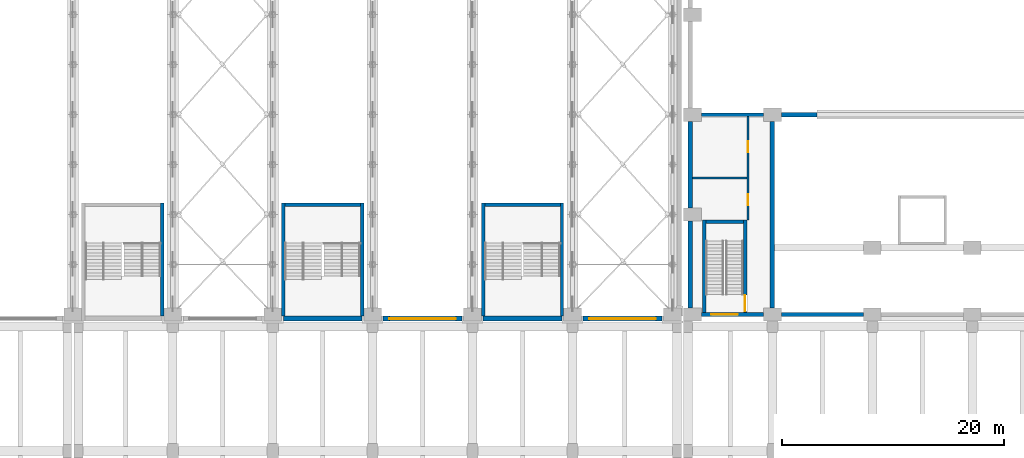
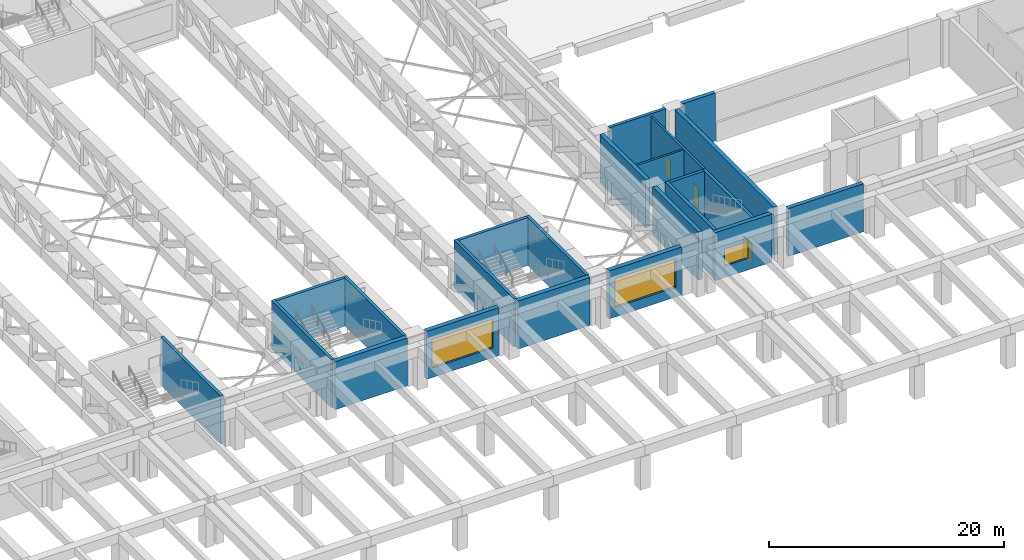
# One storey, part 33 of 76: 23 walls, 3 doors, 3 windows, 6 openings.
"""IFC4 building model written with IfcOpenShell, lengths in metres."""

from ifc_helpers import new_model, si_unit, direction, frame, frame_2d, origin, place, context, subcontext, project, spatial, rectangle, extrude, material, layer, layer_set, type_object, element, fill, save


model = new_model("IFC4")

# Units and contexts
model_context = context("Model", 3, precision=1e-05, world=origin(), true_north=direction((0.0, 1.0)))
body_context = subcontext(model_context, "Body", "Model", "MODEL_VIEW")
ifc_project = project(units=[si_unit("LENGTHUNIT", "METRE"), si_unit("AREAUNIT", "SQUARE_METRE"), si_unit("VOLUMEUNIT", "CUBIC_METRE"), si_unit("PLANEANGLEUNIT", "RADIAN"), si_unit("MASSUNIT", "GRAM", prefix="KILO")], contexts=[model_context])

# Site, building, storey
site_placement = place(None, origin())
site = spatial("IfcSite", under=ifc_project, at=site_placement, CompositionType="ELEMENT")
building_placement = place(site_placement, origin())
building = spatial("IfcBuilding", under=site, at=building_placement, Name="Aravalli Gate Trade Fair Centre", CompositionType="ELEMENT")
storey_placement = place(building_placement, frame((0.0, 0.0, 10.0)))
storey = spatial("IfcBuildingStorey", under=building, at=storey_placement, Name="L02", CompositionType="ELEMENT", Elevation=10.0)

# Walls
ifc_material_1 = material(Name="Concrete M40", Category="concrete")
ifc_layer_1 = layer(ifc_material_1, 0.300048828125)
ifc_layer_set_1 = layer_set([ifc_layer_1], Name="Concrete M40")
wall_type_1 = type_object("IfcWallType", Name="Congress RC wall 300", PredefinedType="SHEAR", material=ifc_layer_set_1)
wall_1_placement = place(storey_placement, frame((107.60009765625, 64.0, 0.0), z_axis=(0.0, 0.0, 1.0), x_axis=(1.0, 0.0, 0.0)))
element("IfcWall", 1, at=wall_1_placement, inside=storey, type_object=wall_type_1, Name="Stage wing north wall W L02", PredefinedType="SHEAR", context=body_context, shape_type="SweptSolid", body=[
    extrude(rectangle(XDim=5.599853515625, YDim=0.300048828125, at=frame_2d((2.7998046875, 0.0))), origin(), (0.0, 0.0, 1.0), 5.0),
])
wall_2_placement = place(storey_placement, frame((107.85009765625, 46.199951171875, 0.0), z_axis=(0.0, 0.0, 1.0), x_axis=(0.0, 1.0, 0.0)))
element("IfcWall", 2, at=wall_2_placement, inside=storey, type_object=wall_type_1, Name="Stage Stair West wall W L02", PredefinedType="SHEAR", context=body_context, shape_type="SweptSolid", body=[
    extrude(rectangle(XDim=8.300048828125, YDim=0.300048828125, at=frame_2d((4.14990234375, 0.0))), origin(), (0.0, 0.0, 1.0), 5.0),
])

# Wall, opening, door
wall_3_placement = place(storey_placement, frame((111.550048828125, 46.199951171875, 0.0), z_axis=(0.0, 0.0, 1.0), x_axis=(0.0, 1.0, 0.0)))
wall_3 = element("IfcWall", 3, at=wall_3_placement, inside=storey, type_object=wall_type_1, Name="Stage Stair West wall E L02", PredefinedType="SHEAR", context=body_context, shape_type="SweptSolid", body=[
    extrude(rectangle(XDim=8.300048828125, YDim=0.300048828125, at=frame_2d((4.14990234375, 0.0))), origin(), (0.0, 0.0, 1.0), 5.0),
])
opening_1_placement = place(wall_3_placement, frame((0.0849609375, 0.0, 0.0)))
opening_1 = element("IfcOpeningElement", 4, at=opening_1_placement, cuts=wall_3, Name="Opening G-L02-05", PredefinedType="OPENING", context=body_context, shape_type="SweptSolid", body=[
    extrude(rectangle(XDim=1.449951171875, YDim=2.10009765625, at=frame_2d((0.72509765625, 1.050048828125))), frame((0.0, 0.159912109375, 0.0), z_axis=(0.0, -1.0, 0.0), x_axis=(1.0, 0.0, 0.0)), (0.0, 0.0, 1.0), 0.320068359375),
])
ifc_material_2 = material(Name="Steel, fire rated", Category="steel")
door_type_1 = type_object("IfcDoorType", Name="Congress fire door FD120 1450 x 2100", OperationType="SINGLE_SWING_LEFT", PredefinedType="DOOR", material=ifc_material_2)
door_1_placement = place(opening_1_placement, origin())
door_1 = element("IfcDoor", 5, at=door_1_placement, inside=storey, type_object=door_type_1, Name="Stage Stair West door L02", OperationType="SINGLE_SWING_LEFT", OverallHeight=2.10009765625, OverallWidth=1.449951171875, PredefinedType="DOOR", context=body_context, shape_type="SweptSolid", body=[
    extrude(rectangle(XDim=1.449951171875, YDim=2.10009765625, at=frame_2d((0.72509765625, 1.050048828125))), frame((0.0, 0.02490234375, 0.0), z_axis=(0.0, -1.0, 0.0), x_axis=(1.0, 0.0, 0.0)), (0.0, 0.0, 1.0), 0.050048828125),
])
fill(opening_1, door_1)

# Walls
wall_4_placement = place(storey_placement, frame((108.0, 54.35009765625, 0.0), z_axis=(0.0, 0.0, 1.0), x_axis=(1.0, 0.0, 0.0)))
element("IfcWall", 6, at=wall_4_placement, inside=storey, type_object=wall_type_1, Name="Stage Stair West wall N L02", PredefinedType="SHEAR", context=body_context, shape_type="SweptSolid", body=[
    extrude(rectangle(XDim=3.39990234375, YDim=0.300048828125, at=frame_2d((1.699951171875, 0.0))), origin(), (0.0, 0.0, 1.0), 5.0),
])
ifc_layer_2 = layer(ifc_material_1, 0.39990234375)
ifc_layer_set_2 = layer_set([ifc_layer_2], Name="Concrete M40")
wall_type_2 = type_object("IfcWallType", Name="Congress RC wall 400", PredefinedType="SHEAR", material=ifc_layer_set_2)
wall_5_placement = place(storey_placement, frame((114.0, 46.60009765625, 0.0), z_axis=(0.0, 0.0, 1.0), x_axis=(0.0, 1.0, 0.0)))
element("IfcWall", 7, at=wall_5_placement, inside=storey, type_object=wall_type_2, Name="Stage house wall line 114 L02", PredefinedType="SHEAR", context=body_context, shape_type="SweptSolid", body=[
    extrude(rectangle(XDim=16.7998046875, YDim=0.39990234375, at=frame_2d((8.39990234375, 0.0))), origin(), (0.0, 0.0, 1.0), 5.0),
])
wall_6_placement = place(storey_placement, frame((114.800048828125, 64.0, 0.0), z_axis=(0.0, 0.0, 1.0), x_axis=(1.0, 0.0, 0.0)))
element("IfcWall", 8, at=wall_6_placement, inside=storey, type_object=wall_type_2, Name="Proscenium wall W L02", PredefinedType="SHEAR", context=body_context, shape_type="SweptSolid", body=[
    extrude(rectangle(XDim=3.199951171875, YDim=0.39990234375, at=frame_2d((1.60009765625, 0.0))), origin(), (0.0, 0.0, 1.0), 5.0),
])
ifc_layer_3 = layer(ifc_material_1, 0.25, Name="Structural wall")
ifc_material_3 = material(Name="Ventilated air cavity")
ifc_layer_4 = layer(ifc_material_3, 0.050048828125, ventilated=True, Name="Ventilated cavity")
ifc_material_4 = material(Name="Terracotta rainscreen", Category="masonry")
ifc_layer_5 = layer(ifc_material_4, 0.10009765625, Name="Rainscreen cladding")
ifc_layer_set_3 = layer_set([ifc_layer_3, ifc_layer_4, ifc_layer_5], Name="Congress external wall 400")
wall_type_3 = type_object("IfcWallType", Name="Congress external wall 400", PredefinedType="SOLIDWALL", material=ifc_layer_set_3)
for number, where, z_axis, x_axis, name in (
    (9, (106.60009765625, 46.60009765625, 0.0), (0.0, 0.0, 1.0), (0.0, 1.0, 0.0), "West wall L02 bay 1"),
    (10, (106.60009765625, 55.60009765625, 0.0), (0.0, 0.0, 1.0), (0.0, 1.0, 0.0), "West wall L02 bay 2"),
):
    element("IfcWall", number, at=place(storey_placement, frame(where, z_axis=z_axis, x_axis=x_axis)), inside=storey, type_object=wall_type_3, Name=name, PredefinedType="SOLIDWALL", context=body_context, shape_type="SweptSolid", body=[
        extrude(rectangle(XDim=7.7998046875, YDim=0.39990234375, at=frame_2d((3.89990234375, 0.0))), origin(), (0.0, 0.0, 1.0), 5.0),
    ])

# Wall, opening, window
wall_7_placement = place(storey_placement, frame((107.60009765625, 46.0, 0.0), z_axis=(0.0, 0.0, 1.0), x_axis=(1.0, 0.0, 0.0)))
wall_7 = element("IfcWall", 11, at=wall_7_placement, inside=storey, type_object=wall_type_3, Name="South wall L02 bay 1", PredefinedType="SOLIDWALL", context=body_context, shape_type="SweptSolid", body=[
    extrude(rectangle(XDim=5.599853515625, YDim=0.39990234375, at=frame_2d((2.7998046875, 0.0))), origin(), (0.0, 0.0, 1.0), 5.0),
])
opening_2_placement = place(wall_7_placement, frame((0.89990234375, 0.0, 1.199951171875)))
opening_2 = element("IfcOpeningElement", 12, at=opening_2_placement, cuts=wall_7, Name="Opening GWN4", PredefinedType="OPENING", context=body_context, shape_type="SweptSolid", body=[
    extrude(rectangle(XDim=2.39990234375, YDim=1.800048828125, at=frame_2d((1.199951171875, 0.89990234375))), frame((0.0, 0.2099609375, 0.0), z_axis=(0.0, -1.0, 0.0), x_axis=(1.0, 0.0, 0.0)), (0.0, 0.0, 1.0), 0.419921875),
])
ifc_material_5 = material(Name="Aluminium and glass", Category="aluminium")
window_type_1 = type_object("IfcWindowType", Name="Congress wing window 2400 x 1800", PartitioningType="DOUBLE_PANEL_VERTICAL", PredefinedType="WINDOW", material=ifc_material_5)
window_1_placement = place(opening_2_placement, origin())
window_1 = element("IfcWindow", 13, at=window_1_placement, inside=storey, type_object=window_type_1, Name="South window L02 bay 1", OverallHeight=1.800048828125, OverallWidth=2.39990234375, PartitioningType="SINGLE_PANEL", PredefinedType="WINDOW", context=body_context, shape_type="SweptSolid", body=[
    extrude(rectangle(XDim=2.39990234375, YDim=1.800048828125, at=frame_2d((1.199951171875, 0.89990234375))), frame((0.0, 0.030029296875, 0.0), z_axis=(0.0, -1.0, 0.0), x_axis=(1.0, 0.0, 0.0)), (0.0, 0.0, 1.0), 0.06005859375),
])
fill(opening_2, window_1)

# Wall
wall_8_placement = place(storey_placement, frame((114.800048828125, 46.0, 0.0), z_axis=(0.0, 0.0, 1.0), x_axis=(1.0, 0.0, 0.0)))
element("IfcWall", 14, at=wall_8_placement, inside=storey, type_object=wall_type_3, Name="South wall L02 bay 2", PredefinedType="SOLIDWALL", context=body_context, shape_type="SweptSolid", body=[
    extrude(rectangle(XDim=7.39990234375, YDim=0.39990234375, at=frame_2d((3.699951171875, 0.0))), origin(), (0.0, 0.0, 1.0), 5.0),
])

# Wall, openings, doors
ifc_material_6 = material(Name="Concrete block masonry", Category="masonry")
ifc_layer_6 = layer(ifc_material_6, 0.199951171875)
ifc_layer_set_4 = layer_set([ifc_layer_6], Name="Concrete block masonry")
wall_type_4 = type_object("IfcWallType", Name="Congress partition 200", PredefinedType="PARTITIONING", material=ifc_layer_set_4)
wall_9_placement = place(storey_placement, frame((111.800048828125, 54.5, 0.0), z_axis=(0.0, 0.0, 1.0), x_axis=(0.0, 1.0, 0.0)))
wall_9 = element("IfcWall", 15, at=wall_9_placement, inside=storey, type_object=wall_type_4, Name="Wing partition W L02", PredefinedType="PARTITIONING", context=body_context, shape_type="SweptSolid", body=[
    extrude(rectangle(XDim=9.35009765625, YDim=0.199951171875, at=frame_2d((4.675048828125, 0.0))), origin(), (0.0, 0.0, 1.0), 4.699951171875),
])
opening_3_placement = place(wall_9_placement, frame((1.35009765625, 0.0, 0.0)))
opening_3 = element("IfcOpeningElement", 16, at=opening_3_placement, cuts=wall_9, Name="Opening G-L02-21", PredefinedType="OPENING", context=body_context, shape_type="SweptSolid", body=[
    extrude(rectangle(XDim=1.0, YDim=2.10009765625, at=frame_2d((0.5, 1.050048828125))), frame((0.0, 0.10986328125, 0.0), z_axis=(0.0, -1.0, 0.0), x_axis=(1.0, 0.0, 0.0)), (0.0, 0.0, 1.0), 0.219970703125),
])
opening_4_placement = place(wall_9_placement, frame((6.125, 0.0, 0.0)))
opening_4 = element("IfcOpeningElement", 17, at=opening_4_placement, cuts=wall_9, Name="Opening G-L02-22", PredefinedType="OPENING", context=body_context, shape_type="SweptSolid", body=[
    extrude(rectangle(XDim=1.0, YDim=2.10009765625, at=frame_2d((0.5, 1.050048828125))), frame((0.0, 0.10986328125, 0.0), z_axis=(0.0, -1.0, 0.0), x_axis=(1.0, 0.0, 0.0)), (0.0, 0.0, 1.0), 0.219970703125),
])
door_type_2 = type_object("IfcDoorType", Name="Congress fire door FD60 1000 x 2100", OperationType="SINGLE_SWING_LEFT", PredefinedType="DOOR", material=ifc_material_2)
door_2_placement = place(opening_3_placement, origin())
door_2 = element("IfcDoor", 18, at=door_2_placement, inside=storey, type_object=door_type_2, Name="Wing room door W L02 a", OperationType="SINGLE_SWING_RIGHT", OverallHeight=2.10009765625, OverallWidth=1.0, PredefinedType="DOOR", context=body_context, shape_type="SweptSolid", body=[
    extrude(rectangle(XDim=1.0, YDim=2.10009765625, at=frame_2d((0.5, 1.050048828125))), frame((0.0, 0.02490234375, 0.0), z_axis=(0.0, -1.0, 0.0), x_axis=(1.0, 0.0, 0.0)), (0.0, 0.0, 1.0), 0.050048828125),
])
fill(opening_3, door_2)
door_3_placement = place(opening_4_placement, origin())
door_3 = element("IfcDoor", 19, at=door_3_placement, inside=storey, type_object=door_type_2, Name="Wing room door W L02 b", OperationType="SINGLE_SWING_LEFT", OverallHeight=2.10009765625, OverallWidth=1.0, PredefinedType="DOOR", context=body_context, shape_type="SweptSolid", body=[
    extrude(rectangle(XDim=1.0, YDim=2.10009765625, at=frame_2d((0.5, 1.050048828125))), frame((0.0, 0.02490234375, 0.0), z_axis=(0.0, -1.0, 0.0), x_axis=(1.0, 0.0, 0.0)), (0.0, 0.0, 1.0), 0.050048828125),
])
fill(opening_4, door_3)

# Walls
wall_10_placement = place(storey_placement, frame((106.800048828125, 58.300048828125, 0.0), z_axis=(0.0, 0.0, 1.0), x_axis=(1.0, 0.0, 0.0)))
element("IfcWall", 20, at=wall_10_placement, inside=storey, type_object=wall_type_4, Name="Wing room partition W L02", PredefinedType="PARTITIONING", context=body_context, shape_type="SweptSolid", body=[
    extrude(rectangle(XDim=4.89990234375, YDim=0.199951171875, at=frame_2d((2.449951171875, 0.0))), origin(), (0.0, 0.0, 1.0), 4.699951171875),
])
ifc_layer_7 = layer(ifc_material_1, 0.25, Name="Structural wall")
ifc_layer_8 = layer(ifc_material_3, 0.10009765625, ventilated=True, Name="Ventilated cavity")
ifc_layer_9 = layer(ifc_material_4, 0.10009765625, Name="Rainscreen cladding")
ifc_layer_set_5 = layer_set([ifc_layer_7, ifc_layer_8, ifc_layer_9], Name="Hall external wall 450")
wall_type_5 = type_object("IfcWallType", Name="Hall external wall 450", PredefinedType="SOLIDWALL", material=ifc_layer_set_5)
wall_11_placement = place(storey_placement, frame((69.949951171875, 45.625, 0.0), z_axis=(0.0, 0.0, 1.0), x_axis=(1.0, 0.0, 0.0)))
element("IfcWall", 21, at=wall_11_placement, inside=storey, type_object=wall_type_5, Name="Hall south wall bay 8 L02", PredefinedType="SOLIDWALL", context=body_context, shape_type="SweptSolid", body=[
    extrude(rectangle(XDim=7.10009765625, YDim=0.449951171875, at=frame_2d((3.550048828125, 0.0))), origin(), (0.0, 0.0, 1.0), 5.0),
])

# Wall, opening, window
wall_12_placement = place(storey_placement, frame((78.949951171875, 45.625, 0.0), z_axis=(0.0, 0.0, 1.0), x_axis=(1.0, 0.0, 0.0)))
wall_12 = element("IfcWall", 22, at=wall_12_placement, inside=storey, type_object=wall_type_5, Name="Hall south wall bay 9 L02", PredefinedType="SOLIDWALL", context=body_context, shape_type="SweptSolid", body=[
    extrude(rectangle(XDim=7.10009765625, YDim=0.449951171875, at=frame_2d((3.550048828125, 0.0))), origin(), (0.0, 0.0, 1.0), 5.0),
])
opening_5_placement = place(wall_12_placement, frame((0.550048828125, 0.0, 1.0)))
opening_5 = element("IfcOpeningElement", 23, at=opening_5_placement, cuts=wall_12, Name="Opening LV1", PredefinedType="OPENING", context=body_context, shape_type="SweptSolid", body=[
    extrude(rectangle(XDim=6.0, YDim=3.0, at=frame_2d((3.0, 1.5))), frame((0.0, 0.23486328125, 0.0), z_axis=(0.0, -1.0, 0.0), x_axis=(1.0, 0.0, 0.0)), (0.0, 0.0, 1.0), 0.469970703125),
])
ifc_material_7 = material(Name="Aluminium", Category="aluminium")
window_type_2 = type_object("IfcWindowType", Name="Hall louvre 6000x3000", PartitioningType="SINGLE_PANEL", PredefinedType="USERDEFINED", material=ifc_material_7)
window_2_placement = place(opening_5_placement, origin())
window_2 = element("IfcWindow", 24, at=window_2_placement, inside=storey, type_object=window_type_2, Name="Hall south louvre bay 9 L02", ObjectType="LOUVRE", OverallHeight=3.0, OverallWidth=6.0, PartitioningType="SINGLE_PANEL", PredefinedType="USERDEFINED", context=body_context, shape_type="SweptSolid", body=[
    extrude(rectangle(XDim=6.0, YDim=3.0, at=frame_2d((3.0, 1.5))), frame((0.0, 0.030029296875, 0.0), z_axis=(0.0, -1.0, 0.0), x_axis=(1.0, 0.0, 0.0)), (0.0, 0.0, 1.0), 0.06005859375),
])
fill(opening_5, window_2)

# Wall
wall_13_placement = place(storey_placement, frame((87.949951171875, 45.625, 0.0), z_axis=(0.0, 0.0, 1.0), x_axis=(1.0, 0.0, 0.0)))
element("IfcWall", 25, at=wall_13_placement, inside=storey, type_object=wall_type_5, Name="Hall south wall bay 10 L02", PredefinedType="SOLIDWALL", context=body_context, shape_type="SweptSolid", body=[
    extrude(rectangle(XDim=7.10009765625, YDim=0.449951171875, at=frame_2d((3.550048828125, 0.0))), origin(), (0.0, 0.0, 1.0), 5.0),
])

# Wall, opening, window
wall_14_placement = place(storey_placement, frame((96.949951171875, 45.625, 0.0), z_axis=(0.0, 0.0, 1.0), x_axis=(1.0, 0.0, 0.0)))
wall_14 = element("IfcWall", 26, at=wall_14_placement, inside=storey, type_object=wall_type_5, Name="Hall south wall bay 11 L02", PredefinedType="SOLIDWALL", context=body_context, shape_type="SweptSolid", body=[
    extrude(rectangle(XDim=7.10009765625, YDim=0.449951171875, at=frame_2d((3.550048828125, 0.0))), origin(), (0.0, 0.0, 1.0), 5.0),
])
opening_6_placement = place(wall_14_placement, frame((0.550048828125, 0.0, 1.0)))
opening_6 = element("IfcOpeningElement", 27, at=opening_6_placement, cuts=wall_14, Name="Opening LV1", PredefinedType="OPENING", context=body_context, shape_type="SweptSolid", body=[
    extrude(rectangle(XDim=6.0, YDim=3.0, at=frame_2d((3.0, 1.5))), frame((0.0, 0.23486328125, 0.0), z_axis=(0.0, -1.0, 0.0), x_axis=(1.0, 0.0, 0.0)), (0.0, 0.0, 1.0), 0.469970703125),
])
window_3_placement = place(opening_6_placement, origin())
window_3 = element("IfcWindow", 28, at=window_3_placement, inside=storey, type_object=window_type_2, Name="Hall south louvre bay 11 L02", ObjectType="LOUVRE", OverallHeight=3.0, OverallWidth=6.0, PartitioningType="SINGLE_PANEL", PredefinedType="USERDEFINED", context=body_context, shape_type="SweptSolid", body=[
    extrude(rectangle(XDim=6.0, YDim=3.0, at=frame_2d((3.0, 1.5))), frame((0.0, 0.030029296875, 0.0), z_axis=(0.0, -1.0, 0.0), x_axis=(1.0, 0.0, 0.0)), (0.0, 0.0, 1.0), 0.06005859375),
])
fill(opening_6, window_3)

# Walls
ifc_layer_10 = layer(ifc_material_1, 0.300048828125)
ifc_layer_set_6 = layer_set([ifc_layer_10], Name="Concrete M40")
wall_type_6 = type_object("IfcWallType", Name="Stair tower wall RC 300", PredefinedType="SHEAR", material=ifc_layer_set_6)
for number, where, z_axis, x_axis, name in (
    (29, (59.050048828125, 45.85009765625, 0.0), (0.0, 0.0, 1.0), (0.0, 1.0, 0.0), "Stair tower S06 wall E L02"),
    (30, (69.949951171875, 45.85009765625, 0.0), (0.0, 0.0, 1.0), (0.0, 1.0, 0.0), "Stair tower S08 wall W L02"),
    (31, (77.050048828125, 45.85009765625, 0.0), (0.0, 0.0, 1.0), (0.0, 1.0, 0.0), "Stair tower S08 wall E L02"),
):
    element("IfcWall", number, at=place(storey_placement, frame(where, z_axis=z_axis, x_axis=x_axis)), inside=storey, type_object=wall_type_6, Name=name, PredefinedType="SHEAR", context=body_context, shape_type="SweptSolid", body=[
        extrude(rectangle(XDim=10.199951171875, YDim=0.300048828125, at=frame_2d((5.10009765625, 0.0))), origin(), (0.0, 0.0, 1.0), 5.0),
    ])
wall_15_placement = place(storey_placement, frame((70.10009765625, 55.89990234375, 0.0), z_axis=(0.0, 0.0, 1.0), x_axis=(1.0, 0.0, 0.0)))
element("IfcWall", 32, at=wall_15_placement, inside=storey, type_object=wall_type_6, Name="Stair tower S08 wall F L02", PredefinedType="SHEAR", context=body_context, shape_type="SweptSolid", body=[
    extrude(rectangle(XDim=6.7998046875, YDim=0.300048828125, at=frame_2d((3.39990234375, 0.0))), origin(), (0.0, 0.0, 1.0), 5.0),
])
for number, where, z_axis, x_axis, name in (
    (33, (87.949951171875, 45.85009765625, 0.0), (0.0, 0.0, 1.0), (0.0, 1.0, 0.0), "Stair tower S10 wall W L02"),
    (34, (95.050048828125, 45.85009765625, 0.0), (0.0, 0.0, 1.0), (0.0, 1.0, 0.0), "Stair tower S10 wall E L02"),
):
    element("IfcWall", number, at=place(storey_placement, frame(where, z_axis=z_axis, x_axis=x_axis)), inside=storey, type_object=wall_type_6, Name=name, PredefinedType="SHEAR", context=body_context, shape_type="SweptSolid", body=[
        extrude(rectangle(XDim=10.199951171875, YDim=0.300048828125, at=frame_2d((5.10009765625, 0.0))), origin(), (0.0, 0.0, 1.0), 5.0),
    ])
wall_16_placement = place(storey_placement, frame((88.10009765625, 55.89990234375, 0.0), z_axis=(0.0, 0.0, 1.0), x_axis=(1.0, 0.0, 0.0)))
element("IfcWall", 35, at=wall_16_placement, inside=storey, type_object=wall_type_6, Name="Stair tower S10 wall F L02", PredefinedType="SHEAR", context=body_context, shape_type="SweptSolid", body=[
    extrude(rectangle(XDim=6.7998046875, YDim=0.300048828125, at=frame_2d((3.39990234375, 0.0))), origin(), (0.0, 0.0, 1.0), 5.0),
])

save(model, "model.ifc")
